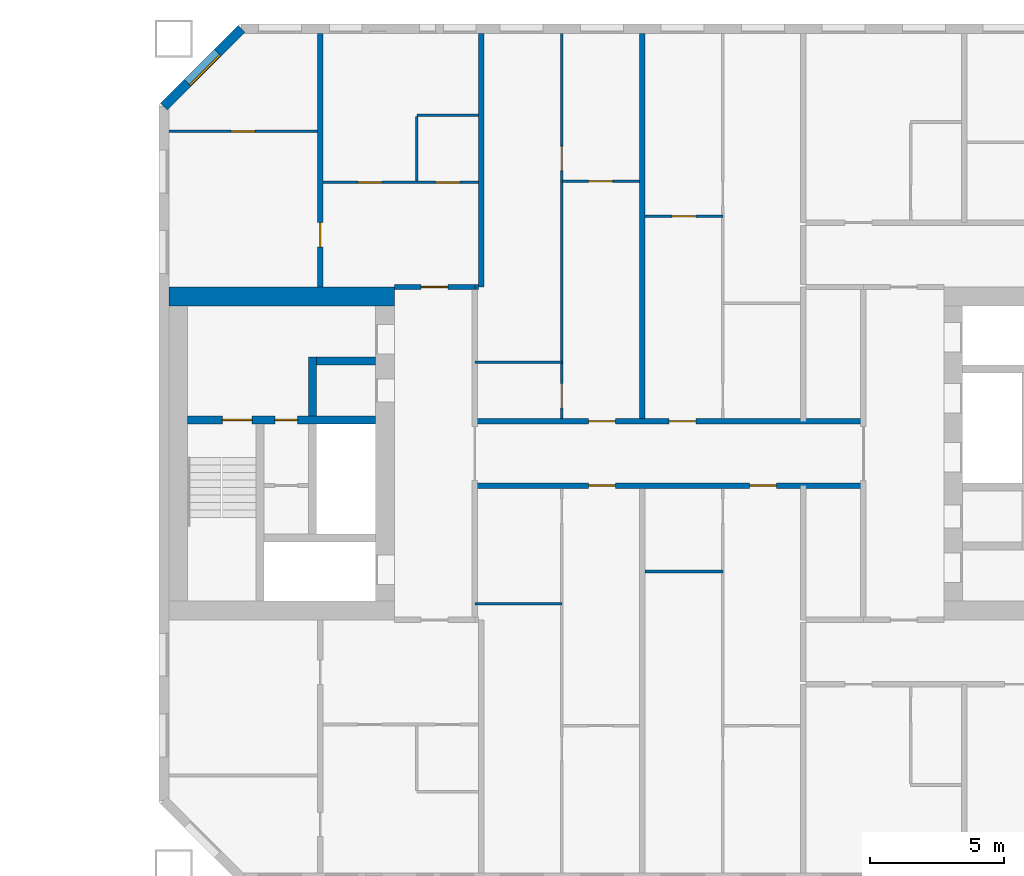
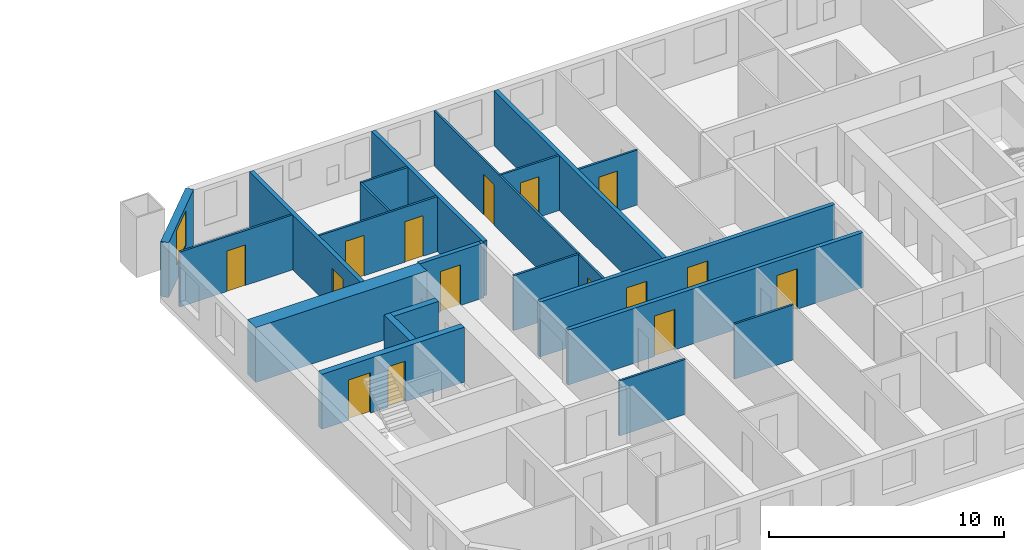
# One storey, part 10 of 17: 22 walls, 15 doors, 1 window, 16 openings.
"""IFC4 building model written with IfcOpenShell, lengths in metres."""

from ifc_helpers import new_model, si_unit, direction, frame, frame_2d, origin, place, context, subcontext, project, spatial, rectangle, extrude, material, layer, layer_set, type_object, element, fill, save


model = new_model("IFC4")

# Units and contexts
model_context = context("Model", 3, precision=1e-05, world=origin(), true_north=direction((0.0, 1.0)))
body_context = subcontext(model_context, "Body", "Model", "MODEL_VIEW")
ifc_project = project(units=[si_unit("LENGTHUNIT", "METRE"), si_unit("AREAUNIT", "SQUARE_METRE"), si_unit("VOLUMEUNIT", "CUBIC_METRE"), si_unit("PLANEANGLEUNIT", "RADIAN"), si_unit("MASSUNIT", "GRAM", prefix="KILO")], contexts=[model_context])

# Site, building, storey
site_placement = place(None, origin())
site = spatial("IfcSite", under=ifc_project, at=site_placement, CompositionType="ELEMENT")
building_placement = place(site_placement, origin())
building = spatial("IfcBuilding", under=site, at=building_placement, Name="Tuart Gate Housing", CompositionType="ELEMENT")
storey_placement = place(building_placement, frame((0.0, 0.0, 74.699951171875)))
storey = spatial("IfcBuildingStorey", under=building, at=storey_placement, Name="L20", CompositionType="ELEMENT", Elevation=74.699951171875)

# Wall, opening, window
ifc_material_1 = material(Name="Brick", Category="masonry")
ifc_layer_1 = layer(ifc_material_1, 0.360107421875)
ifc_layer_set_1 = layer_set([ifc_layer_1], Name="Brick pier and spandrel wall 360")
wall_type_1 = type_object("IfcWallType", Name="Brick pier and spandrel wall 360", PredefinedType="STANDARD", material=ifc_layer_set_1)
wall_1_placement = place(storey_placement, frame((134.07470703125, 85.820068359375, 0.0), z_axis=(0.0, 0.0, 1.0), x_axis=(-0.707106781187, -0.707106781187, 0.0)))
wall_1 = element("IfcWall", 1, at=wall_1_placement, inside=storey, type_object=wall_type_1, Name="External wall B-NW L20", PredefinedType="STANDARD", context=body_context, shape_type="SweptSolid", body=[
    extrude(rectangle(XDim=4.09375, YDim=0.360107421875, at=frame_2d((2.046875, 0.0))), origin(), (0.0, 0.0, 1.0), 2.85009765625),
])
opening_1_placement = place(wall_1_placement, frame((1.2470703125, 0.0, 0.800048828125)))
opening_1 = element("IfcOpeningElement", 2, at=opening_1_placement, cuts=wall_1, Name="Opening W1", PredefinedType="OPENING", context=body_context, shape_type="SweptSolid", body=[
    extrude(rectangle(XDim=1.60009765625, YDim=1.800048828125, at=frame_2d((0.800048828125, 0.89990234375))), frame((0.0, 0.18994140625, 0.0), z_axis=(0.0, -1.0, 0.0), x_axis=(1.0, 0.0, 0.0)), (0.0, 0.0, 1.0), 0.380126953125),
])
ifc_material_2 = material(Name="Aluminium frame with clear glass", Category="aluminium")
window_type = type_object("IfcWindowType", Name="Punched window 1600 x 1800", PartitioningType="SINGLE_PANEL", PredefinedType="WINDOW", material=ifc_material_2)
window_placement = place(opening_1_placement, origin())
window = element("IfcWindow", 3, at=window_placement, inside=storey, type_object=window_type, Name="Window W1", OverallHeight=1.800048828125, OverallWidth=1.60009765625, PartitioningType="SINGLE_PANEL", PredefinedType="WINDOW", context=body_context, shape_type="SweptSolid", body=[
    extrude(rectangle(XDim=1.60009765625, YDim=1.800048828125, at=frame_2d((0.800048828125, 0.89990234375))), frame((0.0, 0.150146484375, 0.0), z_axis=(0.0, -1.0, 0.0), x_axis=(1.0, 0.0, 0.0)), (0.0, 0.0, 1.0), 0.06005859375),
])
fill(opening_1, window)

# Wall, openings, doors
ifc_material_3 = material(Name="Concrete C50", Category="concrete")
ifc_layer_2 = layer(ifc_material_3, 0.300048828125)
ifc_layer_set_2 = layer_set([ifc_layer_2], Name="Core wall 300 C50")
wall_type_2 = type_object("IfcWallType", Name="Core wall 300 C50", PredefinedType="SHEAR", material=ifc_layer_set_2)
wall_2_placement = place(storey_placement, frame((139.06005859375, 71.25, 0.0), z_axis=(0.0, 0.0, 1.0), x_axis=(-1.0, 0.0, 0.0)))
wall_2 = element("IfcWall", 4, at=wall_2_placement, inside=storey, type_object=wall_type_2, Name="Core wall BG.3", PredefinedType="SHEAR", context=body_context, shape_type="SweptSolid", body=[
    extrude(rectangle(XDim=7.0, YDim=0.300048828125, at=frame_2d((3.5, 0.0))), origin(), (0.0, 0.0, 1.0), 2.85009765625),
])
opening_2_placement = place(wall_2_placement, frame((4.60009765625, 0.0, 0.0)))
opening_2 = element("IfcOpeningElement", 5, at=opening_2_placement, cuts=wall_2, Name="Opening D916", PredefinedType="OPENING", context=body_context, shape_type="SweptSolid", body=[
    extrude(rectangle(XDim=1.10009765625, YDim=2.10009765625, at=frame_2d((0.550048828125, 1.050048828125))), frame((0.0, 0.159912109375, 0.0), z_axis=(0.0, -1.0, 0.0), x_axis=(1.0, 0.0, 0.0)), (0.0, 0.0, 1.0), 0.320068359375),
])
opening_3_placement = place(wall_2_placement, frame((2.89990234375, 0.0, 0.0)))
opening_3 = element("IfcOpeningElement", 6, at=opening_3_placement, cuts=wall_2, Name="Opening D915", PredefinedType="OPENING", context=body_context, shape_type="SweptSolid", body=[
    extrude(rectangle(XDim=0.85009765625, YDim=2.10009765625, at=frame_2d((0.425048828125, 1.050048828125))), frame((0.0, 0.159912109375, 0.0), z_axis=(0.0, -1.0, 0.0), x_axis=(1.0, 0.0, 0.0)), (0.0, 0.0, 1.0), 0.320068359375),
])
ifc_material_4 = material(Name="Steel fire door", Category="steel")
door_type_1 = type_object("IfcDoorType", Name="Riser door 850 x 2100", OperationType="SINGLE_SWING_LEFT", PredefinedType="DOOR", material=ifc_material_4)
door_1_placement = place(opening_3_placement, origin())
door_1 = element("IfcDoor", 7, at=door_1_placement, inside=storey, type_object=door_type_1, Name="Service room door BG.W1", OperationType="SINGLE_SWING_LEFT", OverallHeight=2.10009765625, OverallWidth=0.85009765625, PredefinedType="DOOR", context=body_context, shape_type="SweptSolid", body=[
    extrude(rectangle(XDim=0.85009765625, YDim=2.10009765625, at=frame_2d((0.425048828125, 1.050048828125))), frame((0.0, 0.02490234375, 0.0), z_axis=(0.0, -1.0, 0.0), x_axis=(1.0, 0.0, 0.0)), (0.0, 0.0, 1.0), 0.050048828125),
])
fill(opening_3, door_1)
ifc_material_5 = material(Name="Steel fire door", Category="steel")
door_type_2 = type_object("IfcDoorType", Name="Stair door 1100 x 2100", OperationType="SINGLE_SWING_LEFT", PredefinedType="DOOR", material=ifc_material_5)
door_2_placement = place(opening_2_placement, origin())
door_2 = element("IfcDoor", 8, at=door_2_placement, inside=storey, type_object=door_type_2, Name="Stair door BG.SD", OperationType="SINGLE_SWING_LEFT", OverallHeight=2.10009765625, OverallWidth=1.10009765625, PredefinedType="DOOR", context=body_context, shape_type="SweptSolid", body=[
    extrude(rectangle(XDim=1.10009765625, YDim=2.10009765625, at=frame_2d((0.550048828125, 1.050048828125))), frame((0.0, 0.02490234375, 0.0), z_axis=(0.0, -1.0, 0.0), x_axis=(1.0, 0.0, 0.0)), (0.0, 0.0, 1.0), 0.050048828125),
])
fill(opening_2, door_2)

# Walls
wall_3_placement = place(storey_placement, frame((139.06005859375, 73.449951171875, 0.0), z_axis=(0.0, 0.0, 1.0), x_axis=(-1.0, 0.0, 0.0)))
element("IfcWall", 9, at=wall_3_placement, inside=storey, type_object=wall_type_2, Name="Core wall BG.4", PredefinedType="SHEAR", context=body_context, shape_type="SweptSolid", body=[
    extrude(rectangle(XDim=2.199951171875, YDim=0.300048828125, at=frame_2d((1.10009765625, 0.0))), origin(), (0.0, 0.0, 1.0), 2.85009765625),
])
wall_4_placement = place(storey_placement, frame((136.7099609375, 71.39990234375, 0.0), z_axis=(0.0, 0.0, 1.0), x_axis=(0.0, 1.0, 0.0)))
element("IfcWall", 10, at=wall_4_placement, inside=storey, type_object=wall_type_2, Name="Core wall BG.6", PredefinedType="SHEAR", context=body_context, shape_type="SweptSolid", body=[
    extrude(rectangle(XDim=2.2001953125, YDim=0.300048828125, at=frame_2d((1.10009765625, 0.0))), origin(), (0.0, 0.0, 1.0), 2.85009765625),
])
ifc_material_6 = material(Name="Concrete C50", Category="concrete")
ifc_layer_3 = layer(ifc_material_6, 0.699951171875)
ifc_layer_set_3 = layer_set([ifc_layer_3], Name="Core wall 700 C50")
wall_type_3 = type_object("IfcWallType", Name="Core wall 700 C50", PredefinedType="SHEAR", material=ifc_layer_set_3)
wall_5_placement = place(storey_placement, frame((139.760009765625, 75.85009765625, 0.0), z_axis=(0.0, 0.0, 1.0), x_axis=(-1.0, 0.0, 0.0)))
element("IfcWall", 11, at=wall_5_placement, inside=storey, type_object=wall_type_3, Name="Core wall BG north", PredefinedType="SHEAR", context=body_context, shape_type="SweptSolid", body=[
    extrude(rectangle(XDim=8.39990234375, YDim=0.699951171875, at=frame_2d((4.199951171875, 0.0))), origin(), (0.0, 0.0, 1.0), 2.85009765625),
])

# Wall, openings, doors
ifc_material_7 = material(Name="Concrete masonry 15 MPa", Category="masonry")
ifc_layer_4 = layer(ifc_material_7, 0.199951171875)
ifc_layer_set_4 = layer_set([ifc_layer_4], Name="Corridor wall masonry 200")
wall_type_4 = type_object("IfcWallType", Name="Corridor wall masonry 200", PredefinedType="PARTITIONING", material=ifc_layer_set_4)
wall_6_placement = place(storey_placement, frame((142.760009765625, 68.800048828125, 0.0), z_axis=(0.0, 0.0, 1.0), x_axis=(1.0, 0.0, 0.0)))
wall_6 = element("IfcWall", 12, at=wall_6_placement, inside=storey, type_object=wall_type_4, Name="Corridor wall masonry 200", PredefinedType="PARTITIONING", context=body_context, shape_type="SweptSolid", body=[
    extrude(rectangle(XDim=14.47998046875, YDim=0.199951171875, at=frame_2d((7.239990234375, 0.0))), origin(), (0.0, 0.0, 1.0), 2.85009765625),
])
opening_4_placement = place(wall_6_placement, frame((4.239990234375, 0.0, 0.0)))
opening_4 = element("IfcOpeningElement", 13, at=opening_4_placement, cuts=wall_6, Name="Opening D928", PredefinedType="OPENING", context=body_context, shape_type="SweptSolid", body=[
    extrude(rectangle(XDim=1.0, YDim=2.10009765625, at=frame_2d((0.5, 1.050048828125))), frame((0.0, 0.10986328125, 0.0), z_axis=(0.0, -1.0, 0.0), x_axis=(1.0, 0.0, 0.0)), (0.0, 0.0, 1.0), 0.219970703125),
])
opening_5_placement = place(wall_6_placement, frame((10.239990234375, 0.0, 0.0)))
opening_5 = element("IfcOpeningElement", 14, at=opening_5_placement, cuts=wall_6, Name="Opening D929", PredefinedType="OPENING", context=body_context, shape_type="SweptSolid", body=[
    extrude(rectangle(XDim=1.0, YDim=2.10009765625, at=frame_2d((0.5, 1.050048828125))), frame((0.0, 0.10986328125, 0.0), z_axis=(0.0, -1.0, 0.0), x_axis=(1.0, 0.0, 0.0)), (0.0, 0.0, 1.0), 0.219970703125),
])
ifc_material_8 = material(Name="Timber door leaf in steel frame", Category="steel")
door_type_3 = type_object("IfcDoorType", Name="Flat entrance door 1000 RH", OperationType="SINGLE_SWING_RIGHT", PredefinedType="DOOR", material=ifc_material_8)
door_3_placement = place(opening_4_placement, frame((1.0, 0.0, 0.0), z_axis=(0.0, 0.0, 1.0), x_axis=(-1.0, 0.0, 0.0)))
door_3 = element("IfcDoor", 15, at=door_3_placement, inside=storey, type_object=door_type_3, Name="Flat entrance door", OperationType="SINGLE_SWING_RIGHT", OverallHeight=2.10009765625, OverallWidth=1.0, PredefinedType="DOOR", context=body_context, shape_type="SweptSolid", body=[
    extrude(rectangle(XDim=1.0, YDim=2.10009765625, at=frame_2d((0.5, 1.050048828125))), frame((0.0, 0.025146484375, 0.0), z_axis=(0.0, -1.0, 0.0), x_axis=(1.0, 0.0, 0.0)), (0.0, 0.0, 1.0), 0.050048828125),
])
fill(opening_4, door_3)
door_4_placement = place(opening_5_placement, frame((1.0, 0.0, 0.0), z_axis=(0.0, 0.0, 1.0), x_axis=(-1.0, 0.0, 0.0)))
door_4 = element("IfcDoor", 16, at=door_4_placement, inside=storey, type_object=door_type_3, Name="Flat entrance door", OperationType="SINGLE_SWING_RIGHT", OverallHeight=2.10009765625, OverallWidth=1.0, PredefinedType="DOOR", context=body_context, shape_type="SweptSolid", body=[
    extrude(rectangle(XDim=1.0, YDim=2.10009765625, at=frame_2d((0.5, 1.050048828125))), frame((0.0, 0.025146484375, 0.0), z_axis=(0.0, -1.0, 0.0), x_axis=(1.0, 0.0, 0.0)), (0.0, 0.0, 1.0), 0.050048828125),
])
fill(opening_5, door_4)

wall_7_placement = place(storey_placement, frame((142.760009765625, 71.199951171875, 0.0), z_axis=(0.0, 0.0, 1.0), x_axis=(1.0, 0.0, 0.0)))
wall_7 = element("IfcWall", 17, at=wall_7_placement, inside=storey, type_object=wall_type_4, Name="Corridor wall masonry 200", PredefinedType="PARTITIONING", context=body_context, shape_type="SweptSolid", body=[
    extrude(rectangle(XDim=14.47998046875, YDim=0.199951171875, at=frame_2d((7.239990234375, 0.0))), origin(), (0.0, 0.0, 1.0), 2.85009765625),
])
opening_6_placement = place(wall_7_placement, frame((4.239990234375, 0.0, 0.0)))
opening_6 = element("IfcOpeningElement", 18, at=opening_6_placement, cuts=wall_7, Name="Opening D917", PredefinedType="OPENING", context=body_context, shape_type="SweptSolid", body=[
    extrude(rectangle(XDim=1.0, YDim=2.10009765625, at=frame_2d((0.5, 1.050048828125))), frame((0.0, 0.10986328125, 0.0), z_axis=(0.0, -1.0, 0.0), x_axis=(1.0, 0.0, 0.0)), (0.0, 0.0, 1.0), 0.219970703125),
])
opening_7_placement = place(wall_7_placement, frame((7.239990234375, 0.0, 0.0)))
opening_7 = element("IfcOpeningElement", 19, at=opening_7_placement, cuts=wall_7, Name="Opening D918", PredefinedType="OPENING", context=body_context, shape_type="SweptSolid", body=[
    extrude(rectangle(XDim=1.0, YDim=2.10009765625, at=frame_2d((0.5, 1.050048828125))), frame((0.0, 0.10986328125, 0.0), z_axis=(0.0, -1.0, 0.0), x_axis=(1.0, 0.0, 0.0)), (0.0, 0.0, 1.0), 0.219970703125),
])
ifc_material_9 = material(Name="Timber door leaf in steel frame", Category="steel")
door_type_4 = type_object("IfcDoorType", Name="Flat entrance door 1000", OperationType="SINGLE_SWING_LEFT", PredefinedType="DOOR", material=ifc_material_9)
door_5_placement = place(opening_6_placement, origin())
door_5 = element("IfcDoor", 20, at=door_5_placement, inside=storey, type_object=door_type_4, Name="Flat entrance door", OperationType="SINGLE_SWING_LEFT", OverallHeight=2.10009765625, OverallWidth=1.0, PredefinedType="DOOR", context=body_context, shape_type="SweptSolid", body=[
    extrude(rectangle(XDim=1.0, YDim=2.10009765625, at=frame_2d((0.5, 1.050048828125))), frame((0.0, 0.02490234375, 0.0), z_axis=(0.0, -1.0, 0.0), x_axis=(1.0, 0.0, 0.0)), (0.0, 0.0, 1.0), 0.050048828125),
])
fill(opening_6, door_5)
door_6_placement = place(opening_7_placement, origin())
door_6 = element("IfcDoor", 21, at=door_6_placement, inside=storey, type_object=door_type_4, Name="Flat entrance door", OperationType="SINGLE_SWING_LEFT", OverallHeight=2.10009765625, OverallWidth=1.0, PredefinedType="DOOR", context=body_context, shape_type="SweptSolid", body=[
    extrude(rectangle(XDim=1.0, YDim=2.10009765625, at=frame_2d((0.5, 1.050048828125))), frame((0.0, 0.02490234375, 0.0), z_axis=(0.0, -1.0, 0.0), x_axis=(1.0, 0.0, 0.0)), (0.0, 0.0, 1.0), 0.050048828125),
])
fill(opening_7, door_6)

# Wall, opening, door
ifc_material_10 = material(Name="Concrete masonry 15 MPa", Category="masonry")
ifc_layer_5 = layer(ifc_material_10, 0.199951171875)
ifc_layer_set_5 = layer_set([ifc_layer_5], Name="Enclosure wall masonry 200")
wall_type_5 = type_object("IfcWallType", Name="Enclosure wall masonry 200", PredefinedType="PARTITIONING", material=ifc_layer_set_5)
wall_8_placement = place(storey_placement, frame((139.760009765625, 76.199951171875, 0.0), z_axis=(0.0, 0.0, 1.0), x_axis=(1.0, 0.0, 0.0)))
wall_8 = element("IfcWall", 22, at=wall_8_placement, inside=storey, type_object=wall_type_5, Name="Enclosure wall masonry 200", PredefinedType="PARTITIONING", context=body_context, shape_type="SweptSolid", body=[
    extrude(rectangle(XDim=3.0, YDim=0.199951171875, at=frame_2d((1.5, 0.0))), origin(), (0.0, 0.0, 1.0), 2.85009765625),
])
opening_8_placement = place(wall_8_placement, frame((1.0, 0.0, 0.0)))
opening_8 = element("IfcOpeningElement", 23, at=opening_8_placement, cuts=wall_8, Name="Opening D913", PredefinedType="OPENING", context=body_context, shape_type="SweptSolid", body=[
    extrude(rectangle(XDim=1.0, YDim=2.10009765625, at=frame_2d((0.5, 1.050048828125))), frame((0.0, 0.10986328125, 0.0), z_axis=(0.0, -1.0, 0.0), x_axis=(1.0, 0.0, 0.0)), (0.0, 0.0, 1.0), 0.219970703125),
])
door_7_placement = place(opening_8_placement, origin())
door_7 = element("IfcDoor", 24, at=door_7_placement, inside=storey, type_object=door_type_3, Name="Flat entrance door", OperationType="SINGLE_SWING_RIGHT", OverallHeight=2.10009765625, OverallWidth=1.0, PredefinedType="DOOR", context=body_context, shape_type="SweptSolid", body=[
    extrude(rectangle(XDim=1.0, YDim=2.10009765625, at=frame_2d((0.5, 1.050048828125))), frame((0.0, 0.02490234375, 0.0), z_axis=(0.0, -1.0, 0.0), x_axis=(1.0, 0.0, 0.0)), (0.0, 0.0, 1.0), 0.050048828125),
])
fill(opening_8, door_7)

# Walls
ifc_material_11 = material(Name="Gypsum board on steel studs", Category="steel")
ifc_layer_6 = layer(ifc_material_11, 0.10009765625)
ifc_layer_set_6 = layer_set([ifc_layer_6], Name="Partition 100")
wall_type_6 = type_object("IfcWallType", Name="Partition 100", PredefinedType="PARTITIONING", material=ifc_layer_set_6)
wall_9_placement = place(storey_placement, frame((142.760009765625, 64.39990234375, 0.0), z_axis=(0.0, 0.0, 1.0), x_axis=(1.0, 0.0, 0.0)))
element("IfcWall", 25, at=wall_9_placement, inside=storey, type_object=wall_type_6, Name="Partition 100", PredefinedType="PARTITIONING", context=body_context, shape_type="SweptSolid", body=[
    extrude(rectangle(XDim=3.239990234375, YDim=0.10009765625, at=frame_2d((1.6201171875, 0.0))), origin(), (0.0, 0.0, 1.0), 2.85009765625),
])
wall_10_placement = place(storey_placement, frame((149.10009765625, 65.60009765625, 0.0), z_axis=(0.0, 0.0, 1.0), x_axis=(1.0, 0.0, 0.0)))
element("IfcWall", 26, at=wall_10_placement, inside=storey, type_object=wall_type_6, Name="Partition 100", PredefinedType="PARTITIONING", context=body_context, shape_type="SweptSolid", body=[
    extrude(rectangle(XDim=2.89990234375, YDim=0.10009765625, at=frame_2d((1.449951171875, 0.0))), origin(), (0.0, 0.0, 1.0), 2.85009765625),
])
wall_11_placement = place(storey_placement, frame((142.760009765625, 73.39990234375, 0.0), z_axis=(0.0, 0.0, 1.0), x_axis=(1.0, 0.0, 0.0)))
element("IfcWall", 27, at=wall_11_placement, inside=storey, type_object=wall_type_6, Name="Partition 100", PredefinedType="PARTITIONING", context=body_context, shape_type="SweptSolid", body=[
    extrude(rectangle(XDim=3.239990234375, YDim=0.10009765625, at=frame_2d((1.6201171875, 0.0))), origin(), (0.0, 0.0, 1.0), 2.85009765625),
])

# Wall, opening, door
wall_12_placement = place(storey_placement, frame((149.10009765625, 78.840087890625, 0.0), z_axis=(0.0, 0.0, 1.0), x_axis=(1.0, 0.0, 0.0)))
wall_12 = element("IfcWall", 28, at=wall_12_placement, inside=storey, type_object=wall_type_6, Name="Partition 100", PredefinedType="PARTITIONING", context=body_context, shape_type="SweptSolid", body=[
    extrude(rectangle(XDim=2.89990234375, YDim=0.10009765625, at=frame_2d((1.449951171875, 0.0))), origin(), (0.0, 0.0, 1.0), 2.85009765625),
])
opening_9_placement = place(wall_12_placement, frame((1.0, 0.0, 0.0)))
opening_9 = element("IfcOpeningElement", 29, at=opening_9_placement, cuts=wall_12, Name="Opening D905", PredefinedType="OPENING", context=body_context, shape_type="SweptSolid", body=[
    extrude(rectangle(XDim=0.89990234375, YDim=2.10009765625, at=frame_2d((0.449951171875, 1.050048828125))), frame((0.0, 0.06005859375, 0.0), z_axis=(0.0, -1.0, 0.0), x_axis=(1.0, 0.0, 0.0)), (0.0, 0.0, 1.0), 0.1201171875),
])
ifc_material_12 = material(Name="Timber door leaf in steel frame", Category="steel")
door_type_5 = type_object("IfcDoorType", Name="Internal door 900", OperationType="SINGLE_SWING_LEFT", PredefinedType="DOOR", material=ifc_material_12)
door_8_placement = place(opening_9_placement, frame((0.89990234375, 0.0, 0.0), z_axis=(0.0, 0.0, 1.0), x_axis=(-1.0, 0.0, 0.0)))
door_8 = element("IfcDoor", 30, at=door_8_placement, inside=storey, type_object=door_type_5, Name="Internal door", OperationType="SINGLE_SWING_LEFT", OverallHeight=2.10009765625, OverallWidth=0.89990234375, PredefinedType="DOOR", context=body_context, shape_type="SweptSolid", body=[
    extrude(rectangle(XDim=0.89990234375, YDim=2.10009765625, at=frame_2d((0.449951171875, 1.050048828125))), frame((0.0, 0.025146484375, 0.0), z_axis=(0.0, -1.0, 0.0), x_axis=(1.0, 0.0, 0.0)), (0.0, 0.0, 1.0), 0.050048828125),
])
fill(opening_9, door_8)

# Wall, openings, doors
wall_13_placement = place(storey_placement, frame((137.10009765625, 80.10009765625, 0.0), z_axis=(0.0, 0.0, 1.0), x_axis=(1.0, 0.0, 0.0)))
wall_13 = element("IfcWall", 31, at=wall_13_placement, inside=storey, type_object=wall_type_6, Name="Partition 100", PredefinedType="PARTITIONING", context=body_context, shape_type="SweptSolid", body=[
    extrude(rectangle(XDim=5.7998046875, YDim=0.10009765625, at=frame_2d((2.89990234375, 0.0))), origin(), (0.0, 0.0, 1.0), 2.85009765625),
])
opening_10_placement = place(wall_13_placement, frame((1.300048828125, 0.0, 0.0)))
opening_10 = element("IfcOpeningElement", 32, at=opening_10_placement, cuts=wall_13, Name="Opening D904", PredefinedType="OPENING", context=body_context, shape_type="SweptSolid", body=[
    extrude(rectangle(XDim=0.89990234375, YDim=2.10009765625, at=frame_2d((0.449951171875, 1.050048828125))), frame((0.0, 0.06005859375, 0.0), z_axis=(0.0, -1.0, 0.0), x_axis=(1.0, 0.0, 0.0)), (0.0, 0.0, 1.0), 0.1201171875),
])
opening_11_placement = place(wall_13_placement, frame((4.199951171875, 0.0, 0.0)))
opening_11 = element("IfcOpeningElement", 33, at=opening_11_placement, cuts=wall_13, Name="Opening D903", PredefinedType="OPENING", context=body_context, shape_type="SweptSolid", body=[
    extrude(rectangle(XDim=0.89990234375, YDim=2.10009765625, at=frame_2d((0.449951171875, 1.050048828125))), frame((0.0, 0.06005859375, 0.0), z_axis=(0.0, -1.0, 0.0), x_axis=(1.0, 0.0, 0.0)), (0.0, 0.0, 1.0), 0.1201171875),
])
ifc_material_13 = material(Name="Timber door leaf in steel frame", Category="steel")
door_type_6 = type_object("IfcDoorType", Name="Bathroom door 900", OperationType="SINGLE_SWING_LEFT", PredefinedType="DOOR", material=ifc_material_13)
door_9_placement = place(opening_11_placement, origin())
door_9 = element("IfcDoor", 34, at=door_9_placement, inside=storey, type_object=door_type_6, Name="Bathroom door", OperationType="SINGLE_SWING_LEFT", OverallHeight=2.10009765625, OverallWidth=0.89990234375, PredefinedType="DOOR", context=body_context, shape_type="SweptSolid", body=[
    extrude(rectangle(XDim=0.89990234375, YDim=2.10009765625, at=frame_2d((0.449951171875, 1.050048828125))), frame((0.0, 0.02490234375, 0.0), z_axis=(0.0, -1.0, 0.0), x_axis=(1.0, 0.0, 0.0)), (0.0, 0.0, 1.0), 0.050048828125),
])
fill(opening_11, door_9)
ifc_material_14 = material(Name="Timber door leaf in steel frame", Category="steel")
door_type_7 = type_object("IfcDoorType", Name="Internal door 900 RH", OperationType="SINGLE_SWING_RIGHT", PredefinedType="DOOR", material=ifc_material_14)
door_10_placement = place(opening_10_placement, origin())
door_10 = element("IfcDoor", 35, at=door_10_placement, inside=storey, type_object=door_type_7, Name="Internal door", OperationType="SINGLE_SWING_RIGHT", OverallHeight=2.10009765625, OverallWidth=0.89990234375, PredefinedType="DOOR", context=body_context, shape_type="SweptSolid", body=[
    extrude(rectangle(XDim=0.89990234375, YDim=2.10009765625, at=frame_2d((0.449951171875, 1.050048828125))), frame((0.0, 0.02490234375, 0.0), z_axis=(0.0, -1.0, 0.0), x_axis=(1.0, 0.0, 0.0)), (0.0, 0.0, 1.0), 0.050048828125),
])
fill(opening_10, door_10)

# Wall, opening, door
wall_14_placement = place(storey_placement, frame((146.0, 80.139892578125, 0.0), z_axis=(0.0, 0.0, 1.0), x_axis=(1.0, 0.0, 0.0)))
wall_14 = element("IfcWall", 36, at=wall_14_placement, inside=storey, type_object=wall_type_6, Name="Partition 100", PredefinedType="PARTITIONING", context=body_context, shape_type="SweptSolid", body=[
    extrude(rectangle(XDim=2.89990234375, YDim=0.10009765625, at=frame_2d((1.449951171875, 0.0))), origin(), (0.0, 0.0, 1.0), 2.85009765625),
])
opening_12_placement = place(wall_14_placement, frame((1.0, 0.0, 0.0)))
opening_12 = element("IfcOpeningElement", 37, at=opening_12_placement, cuts=wall_14, Name="Opening D900", PredefinedType="OPENING", context=body_context, shape_type="SweptSolid", body=[
    extrude(rectangle(XDim=0.89990234375, YDim=2.10009765625, at=frame_2d((0.449951171875, 1.050048828125))), frame((0.0, 0.06005859375, 0.0), z_axis=(0.0, -1.0, 0.0), x_axis=(1.0, 0.0, 0.0)), (0.0, 0.0, 1.0), 0.1201171875),
])
door_11_placement = place(opening_12_placement, frame((0.89990234375, 0.0, 0.0), z_axis=(0.0, 0.0, 1.0), x_axis=(-1.0, 0.0, 0.0)))
door_11 = element("IfcDoor", 38, at=door_11_placement, inside=storey, type_object=door_type_7, Name="Internal door", OperationType="SINGLE_SWING_RIGHT", OverallHeight=2.10009765625, OverallWidth=0.89990234375, PredefinedType="DOOR", context=body_context, shape_type="SweptSolid", body=[
    extrude(rectangle(XDim=0.89990234375, YDim=2.10009765625, at=frame_2d((0.449951171875, 1.050048828125))), frame((0.0, 0.025146484375, 0.0), z_axis=(0.0, -1.0, 0.0), x_axis=(1.0, 0.0, 0.0)), (0.0, 0.0, 1.0), 0.050048828125),
])
fill(opening_12, door_11)

wall_15_placement = place(storey_placement, frame((131.360107421875, 82.0, 0.0), z_axis=(0.0, 0.0, 1.0), x_axis=(1.0, 0.0, 0.0)))
wall_15 = element("IfcWall", 39, at=wall_15_placement, inside=storey, type_object=wall_type_6, Name="Partition 100", PredefinedType="PARTITIONING", context=body_context, shape_type="SweptSolid", body=[
    extrude(rectangle(XDim=5.539794921875, YDim=0.10009765625, at=frame_2d((2.77001953125, 0.0))), origin(), (0.0, 0.0, 1.0), 2.85009765625),
])
opening_13_placement = place(wall_15_placement, frame((2.320068359375, 0.0, 0.0)))
opening_13 = element("IfcOpeningElement", 40, at=opening_13_placement, cuts=wall_15, Name="Opening D897", PredefinedType="OPENING", context=body_context, shape_type="SweptSolid", body=[
    extrude(rectangle(XDim=0.89990234375, YDim=2.10009765625, at=frame_2d((0.449951171875, 1.050048828125))), frame((0.0, 0.06005859375, 0.0), z_axis=(0.0, -1.0, 0.0), x_axis=(1.0, 0.0, 0.0)), (0.0, 0.0, 1.0), 0.1201171875),
])
door_12_placement = place(opening_13_placement, origin())
door_12 = element("IfcDoor", 41, at=door_12_placement, inside=storey, type_object=door_type_5, Name="Internal door", OperationType="SINGLE_SWING_LEFT", OverallHeight=2.10009765625, OverallWidth=0.89990234375, PredefinedType="DOOR", context=body_context, shape_type="SweptSolid", body=[
    extrude(rectangle(XDim=0.89990234375, YDim=2.10009765625, at=frame_2d((0.449951171875, 1.050048828125))), frame((0.0, 0.02490234375, 0.0), z_axis=(0.0, -1.0, 0.0), x_axis=(1.0, 0.0, 0.0)), (0.0, 0.0, 1.0), 0.050048828125),
])
fill(opening_13, door_12)

# Walls
wall_16_placement = place(storey_placement, frame((140.60009765625, 82.60009765625, 0.0), z_axis=(0.0, 0.0, 1.0), x_axis=(1.0, 0.0, 0.0)))
element("IfcWall", 42, at=wall_16_placement, inside=storey, type_object=wall_type_6, Name="Partition 100", PredefinedType="PARTITIONING", context=body_context, shape_type="SweptSolid", body=[
    extrude(rectangle(XDim=2.2998046875, YDim=0.10009765625, at=frame_2d((1.14990234375, 0.0))), origin(), (0.0, 0.0, 1.0), 2.85009765625),
])
wall_17_placement = place(storey_placement, frame((140.60009765625, 80.14990234375, 0.0), z_axis=(0.0, 0.0, 1.0), x_axis=(0.0, 1.0, 0.0)))
element("IfcWall", 43, at=wall_17_placement, inside=storey, type_object=wall_type_6, Name="Partition 100", PredefinedType="PARTITIONING", context=body_context, shape_type="SweptSolid", body=[
    extrude(rectangle(XDim=2.400146484375, YDim=0.10009765625, at=frame_2d((1.2001953125, 0.0))), origin(), (0.0, 0.0, 1.0), 2.85009765625),
])

# Wall, openings, doors
wall_18_placement = place(storey_placement, frame((146.0, 71.300048828125, 0.0), z_axis=(0.0, 0.0, 1.0), x_axis=(0.0, 1.0, 0.0)))
wall_18 = element("IfcWall", 44, at=wall_18_placement, inside=storey, type_object=wall_type_6, Name="Partition 100", PredefinedType="PARTITIONING", context=body_context, shape_type="SweptSolid", body=[
    extrude(rectangle(XDim=14.33984375, YDim=0.10009765625, at=frame_2d((7.169921875, 0.0))), origin(), (0.0, 0.0, 1.0), 2.85009765625),
])
opening_14_placement = place(wall_18_placement, frame((9.239990234375, 0.0, 0.0)))
opening_14 = element("IfcOpeningElement", 45, at=opening_14_placement, cuts=wall_18, Name="Opening D910", PredefinedType="OPENING", context=body_context, shape_type="SweptSolid", body=[
    extrude(rectangle(XDim=0.89990234375, YDim=2.10009765625, at=frame_2d((0.449951171875, 1.050048828125))), frame((0.0, 0.06005859375, 0.0), z_axis=(0.0, -1.0, 0.0), x_axis=(1.0, 0.0, 0.0)), (0.0, 0.0, 1.0), 0.1201171875),
])
opening_15_placement = place(wall_18_placement, frame((0.39990234375, 0.0, 0.0)))
opening_15 = element("IfcOpeningElement", 46, at=opening_15_placement, cuts=wall_18, Name="Opening D909", PredefinedType="OPENING", context=body_context, shape_type="SweptSolid", body=[
    extrude(rectangle(XDim=0.89990234375, YDim=2.10009765625, at=frame_2d((0.449951171875, 1.050048828125))), frame((0.0, 0.06005859375, 0.0), z_axis=(0.0, -1.0, 0.0), x_axis=(1.0, 0.0, 0.0)), (0.0, 0.0, 1.0), 0.1201171875),
])
door_13_placement = place(opening_15_placement, origin())
door_13 = element("IfcDoor", 47, at=door_13_placement, inside=storey, type_object=door_type_6, Name="Bathroom door", OperationType="SINGLE_SWING_LEFT", OverallHeight=2.10009765625, OverallWidth=0.89990234375, PredefinedType="DOOR", context=body_context, shape_type="SweptSolid", body=[
    extrude(rectangle(XDim=0.89990234375, YDim=2.10009765625, at=frame_2d((0.449951171875, 1.050048828125))), frame((0.0, 0.02490234375, 0.0), z_axis=(0.0, -1.0, 0.0), x_axis=(1.0, 0.0, 0.0)), (0.0, 0.0, 1.0), 0.050048828125),
])
fill(opening_15, door_13)
door_14_placement = place(opening_14_placement, origin())
door_14 = element("IfcDoor", 48, at=door_14_placement, inside=storey, type_object=door_type_7, Name="Internal door", OperationType="SINGLE_SWING_RIGHT", OverallHeight=2.10009765625, OverallWidth=0.89990234375, PredefinedType="DOOR", context=body_context, shape_type="SweptSolid", body=[
    extrude(rectangle(XDim=0.89990234375, YDim=2.10009765625, at=frame_2d((0.449951171875, 1.050048828125))), frame((0.0, 0.02490234375, 0.0), z_axis=(0.0, -1.0, 0.0), x_axis=(1.0, 0.0, 0.0)), (0.0, 0.0, 1.0), 0.050048828125),
])
fill(opening_14, door_14)

# Wall, opening, door
ifc_material_15 = material(Name="Concrete C40", Category="concrete")
ifc_layer_7 = layer(ifc_material_15, 0.199951171875)
ifc_layer_set_7 = layer_set([ifc_layer_7], Name="Party wall concrete C40 200")
wall_type_7 = type_object("IfcWallType", Name="Party wall concrete C40 200", PredefinedType="SOLIDWALL", material=ifc_layer_set_7)
wall_19_placement = place(storey_placement, frame((137.0, 76.199951171875, 0.0), z_axis=(0.0, 0.0, 1.0), x_axis=(0.0, 1.0, 0.0)))
wall_19 = element("IfcWall", 49, at=wall_19_placement, inside=storey, type_object=wall_type_7, Name="Party wall concrete C40 200", PredefinedType="SOLIDWALL", context=body_context, shape_type="SweptSolid", body=[
    extrude(rectangle(XDim=9.43994140625, YDim=0.199951171875, at=frame_2d((4.719970703125, 0.0))), origin(), (0.0, 0.0, 1.0), 2.85009765625),
])
opening_16_placement = place(wall_19_placement, frame((1.5, 0.0, 0.0)))
opening_16 = element("IfcOpeningElement", 50, at=opening_16_placement, cuts=wall_19, Name="Opening D898", PredefinedType="OPENING", context=body_context, shape_type="SweptSolid", body=[
    extrude(rectangle(XDim=0.89990234375, YDim=2.10009765625, at=frame_2d((0.449951171875, 1.050048828125))), frame((0.0, 0.10986328125, 0.0), z_axis=(0.0, -1.0, 0.0), x_axis=(1.0, 0.0, 0.0)), (0.0, 0.0, 1.0), 0.219970703125),
])
door_15_placement = place(opening_16_placement, frame((0.89990234375, 0.0, 0.0), z_axis=(0.0, 0.0, 1.0), x_axis=(-1.0, 0.0, 0.0)))
door_15 = element("IfcDoor", 51, at=door_15_placement, inside=storey, type_object=door_type_7, Name="Internal door", OperationType="SINGLE_SWING_RIGHT", OverallHeight=2.10009765625, OverallWidth=0.89990234375, PredefinedType="DOOR", context=body_context, shape_type="SweptSolid", body=[
    extrude(rectangle(XDim=0.89990234375, YDim=2.10009765625, at=frame_2d((0.449951171875, 1.050048828125))), frame((0.0, 0.025146484375, 0.0), z_axis=(0.0, -1.0, 0.0), x_axis=(1.0, 0.0, 0.0)), (0.0, 0.0, 1.0), 0.050048828125),
])
fill(opening_16, door_15)

# Walls
wall_20_placement = place(storey_placement, frame((143.0, 76.199951171875, 0.0), z_axis=(0.0, 0.0, 1.0), x_axis=(0.0, 1.0, 0.0)))
element("IfcWall", 52, at=wall_20_placement, inside=storey, type_object=wall_type_7, Name="Party wall concrete C40 200", PredefinedType="SOLIDWALL", context=body_context, shape_type="SweptSolid", body=[
    extrude(rectangle(XDim=9.43994140625, YDim=0.199951171875, at=frame_2d((4.719970703125, 0.0))), origin(), (0.0, 0.0, 1.0), 2.85009765625),
])
wall_21_placement = place(storey_placement, frame((149.0, 71.199951171875, 0.0), z_axis=(0.0, 0.0, 1.0), x_axis=(0.0, 1.0, 0.0)))
element("IfcWall", 53, at=wall_21_placement, inside=storey, type_object=wall_type_7, Name="Party wall concrete C40 200", PredefinedType="SOLIDWALL", context=body_context, shape_type="SweptSolid", body=[
    extrude(rectangle(XDim=14.43994140625, YDim=0.199951171875, at=frame_2d((7.219970703125, 0.0))), origin(), (0.0, 0.0, 1.0), 2.85009765625),
])
ifc_material_16 = material(Name="Concrete masonry 15 MPa", Category="masonry")
ifc_layer_8 = layer(ifc_material_16, 0.199951171875)
ifc_layer_set_8 = layer_set([ifc_layer_8], Name="Party wall masonry 200")
wall_type_8 = type_object("IfcWallType", Name="Party wall masonry 200", PredefinedType="PARTITIONING", material=ifc_layer_set_8)
wall_22_placement = place(storey_placement, frame((142.760009765625, 76.199951171875, 0.0), z_axis=(0.0, 0.0, 1.0), x_axis=(1.0, 0.0, 0.0)))
element("IfcWall", 54, at=wall_22_placement, inside=storey, type_object=wall_type_8, Name="Party wall masonry 200", PredefinedType="PARTITIONING", context=body_context, shape_type="SweptSolid", body=[
    extrude(rectangle(XDim=0.139892578125, YDim=0.199951171875, at=frame_2d((0.06982421875, 0.0))), origin(), (0.0, 0.0, 1.0), 2.85009765625),
])

save(model, "model.ifc")
